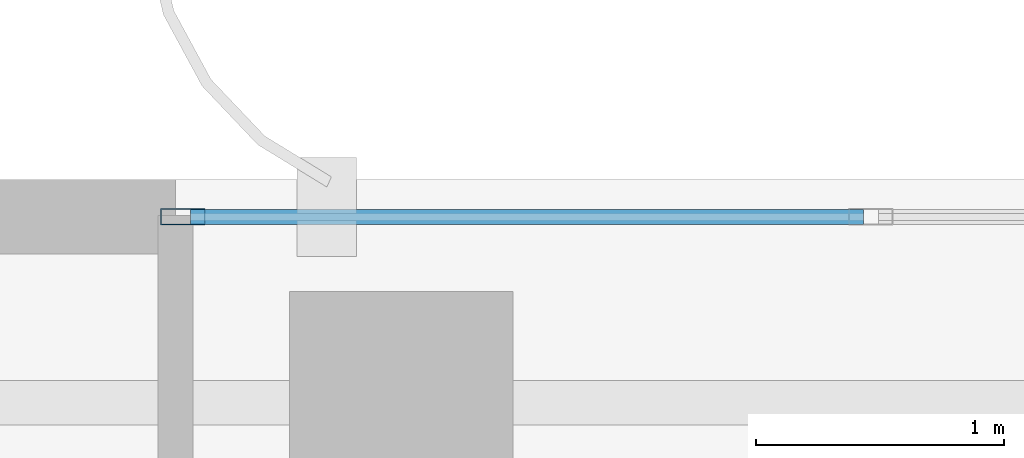
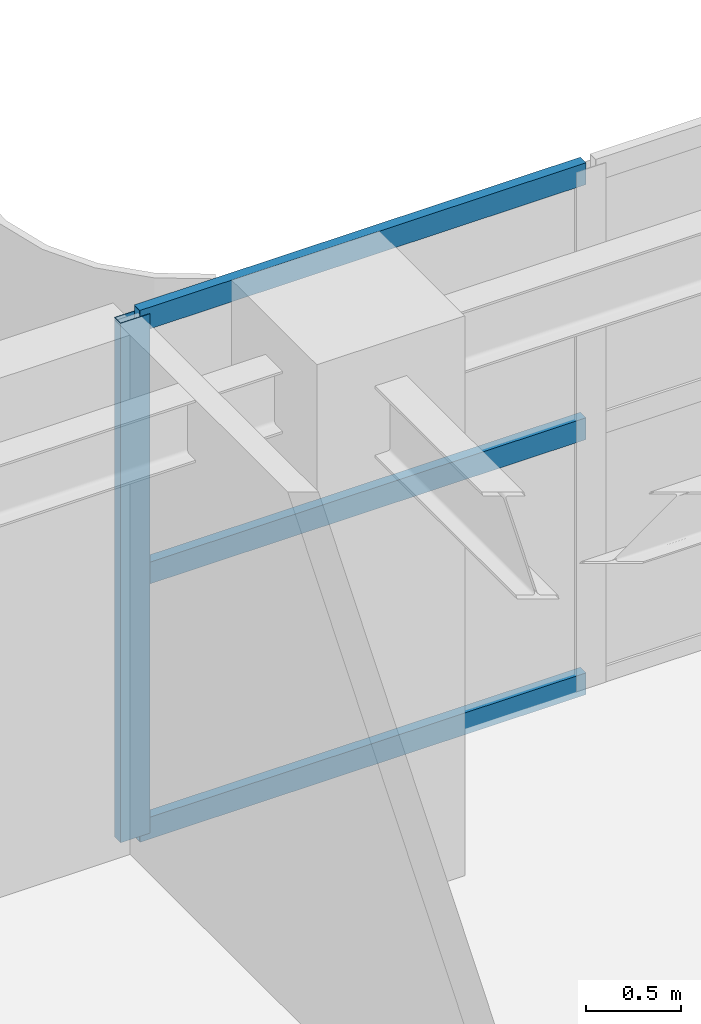
# One storey, part 12 of 22: 4 members, 1 element without a shape of its own.
"""IFC4 building model written with IfcOpenShell, lengths in metres."""

from ifc_helpers import new_model, si_unit, direction, frame, origin, origin_2d, place, context, subcontext, project, spatial, hollow_rectangle, extrude, source, transform, mapped, material, layer, layer_set, material_profile, profile_set, type_object, element, aggregate, save


model = new_model("IFC4")

# Units and contexts
model_context = context("Model", 3, precision=1e-05, world=origin(), true_north=direction((0.0, 1.0)))
body_context = subcontext(model_context, "Body", "Model", "MODEL_VIEW")
ifc_project = project(units=[si_unit("LENGTHUNIT", "METRE"), si_unit("AREAUNIT", "SQUARE_METRE"), si_unit("VOLUMEUNIT", "CUBIC_METRE"), si_unit("PLANEANGLEUNIT", "RADIAN"), si_unit("MASSUNIT", "GRAM", prefix="KILO")], contexts=[model_context])

# Site, building, storey
site_placement = place(None, origin())
site = spatial("IfcSite", under=ifc_project, at=site_placement, CompositionType="ELEMENT")
building_placement = place(site_placement, origin())
building = spatial("IfcBuilding", under=site, at=building_placement, Name="Khoralis Quay Care Tower", CompositionType="ELEMENT")
storey_placement = place(building_placement, frame((0.0, 0.0, 170.10009765625)))
storey = spatial("IfcBuildingStorey", under=building, at=storey_placement, Name="L44", CompositionType="ELEMENT", Elevation=170.10009765625)

# Curtain wall, members
ifc_material = material(Name="Pale anodised aluminium", Category="aluminium")
ifc_layer = layer(ifc_material, 0.159912109375)
ifc_layer_set = layer_set([ifc_layer], Name="Pale anodised aluminium")
curtain_wall_type = type_object("IfcCurtainWallType", Name="CW-SYS-Z3", PredefinedType="NOTDEFINED", material=ifc_layer_set)
curtain_wall_placement = place(storey_placement, origin())
curtain_wall = element("IfcCurtainWall", 1, at=curtain_wall_placement, inside=storey, type_object=curtain_wall_type, Name="L44 Unitised Curtain Wall CW-L44-P1-E10", PredefinedType="NOTDEFINED")
ifc_material_profile_1 = material_profile(ifc_material, hollow_rectangle(XDim=0.06005859375, YDim=0.139892578125, WallThickness=0.00390625, at=origin_2d()), Name="Pale anodised aluminium")
ifc_profile_set_1 = profile_set([ifc_material_profile_1], Name="Pale anodised aluminium")
member_type_1 = type_object("IfcMemberType", Name="CW-TRN-140", PredefinedType="USERDEFINED", material=ifc_profile_set_1)
shared_shape_1 = source(origin(), body_context, "Body", "SweptSolid", [
    extrude(hollow_rectangle(XDim=0.06005859375, YDim=0.139892578125, WallThickness=0.00390625, at=origin_2d()), origin(), (0.0, 0.0, 1.0), 2.71240234375),
])
member_1_placement = place(storey_placement, frame((18.96240234375, 41.85009765625, 0.02978515625), z_axis=(-1.0, 0.0, 0.0), x_axis=(0.0, -1.0, 0.0)))
member_1 = element("IfcMember", 2, at=member_1_placement, type_object=member_type_1, Name="CW3 transom 4.1", ObjectType="TRANSOM", PredefinedType="USERDEFINED", context=body_context, shape_type="MappedRepresentation", body=[
    mapped(shared_shape_1, transform((0.0, 0.0, 0.0), scale=1.0)),
])
member_2_placement = place(storey_placement, frame((18.96240234375, 41.85009765625, 1.669921875), z_axis=(-1.0, 0.0, 0.0), x_axis=(0.0, -1.0, 0.0)))
member_2 = element("IfcMember", 3, at=member_2_placement, type_object=member_type_1, Name="CW3 transom 4.2", ObjectType="TRANSOM", PredefinedType="USERDEFINED", context=body_context, shape_type="MappedRepresentation", body=[
    mapped(shared_shape_1, transform((0.0, 0.0, 0.0), scale=1.0)),
])
member_3_placement = place(storey_placement, frame((18.96240234375, 41.85009765625, 3.309814453125), z_axis=(-1.0, 0.0, 0.0), x_axis=(0.0, -1.0, 0.0)))
member_3 = element("IfcMember", 4, at=member_3_placement, type_object=member_type_1, Name="CW3 transom 4.3", ObjectType="TRANSOM", PredefinedType="USERDEFINED", context=body_context, shape_type="MappedRepresentation", body=[
    mapped(shared_shape_1, transform((0.0, 0.0, 0.0), scale=1.0)),
])
ifc_material_profile_2 = material_profile(ifc_material, hollow_rectangle(XDim=0.06494140625, YDim=0.179931640625, WallThickness=0.00390625, at=origin_2d()), Name="Pale anodised aluminium")
ifc_profile_set_2 = profile_set([ifc_material_profile_2], Name="Pale anodised aluminium")
member_type_2 = type_object("IfcMemberType", Name="CW-MUL-180", PredefinedType="MULLION", material=ifc_profile_set_2)
shared_shape_2 = source(origin(), body_context, "Body", "SweptSolid", [
    extrude(hollow_rectangle(XDim=0.06494140625, YDim=0.179931640625, WallThickness=0.00390625, at=origin_2d()), origin(), (0.0, 0.0, 1.0), 3.33984375),
])
member_4_placement = place(storey_placement, frame((16.219970703125, 41.85009765625, 0.0), z_axis=(0.0, 0.0, 1.0), x_axis=(0.0, -1.0, 0.0)))
member_4 = element("IfcMember", 5, at=member_4_placement, type_object=member_type_2, Name="CW3 mullion 5", PredefinedType="MULLION", context=body_context, shape_type="MappedRepresentation", body=[
    mapped(shared_shape_2, transform((0.0, 0.0, 0.0), scale=1.0)),
])
aggregate(curtain_wall, [member_4, member_1, member_2, member_3])

save(model, "model.ifc")
